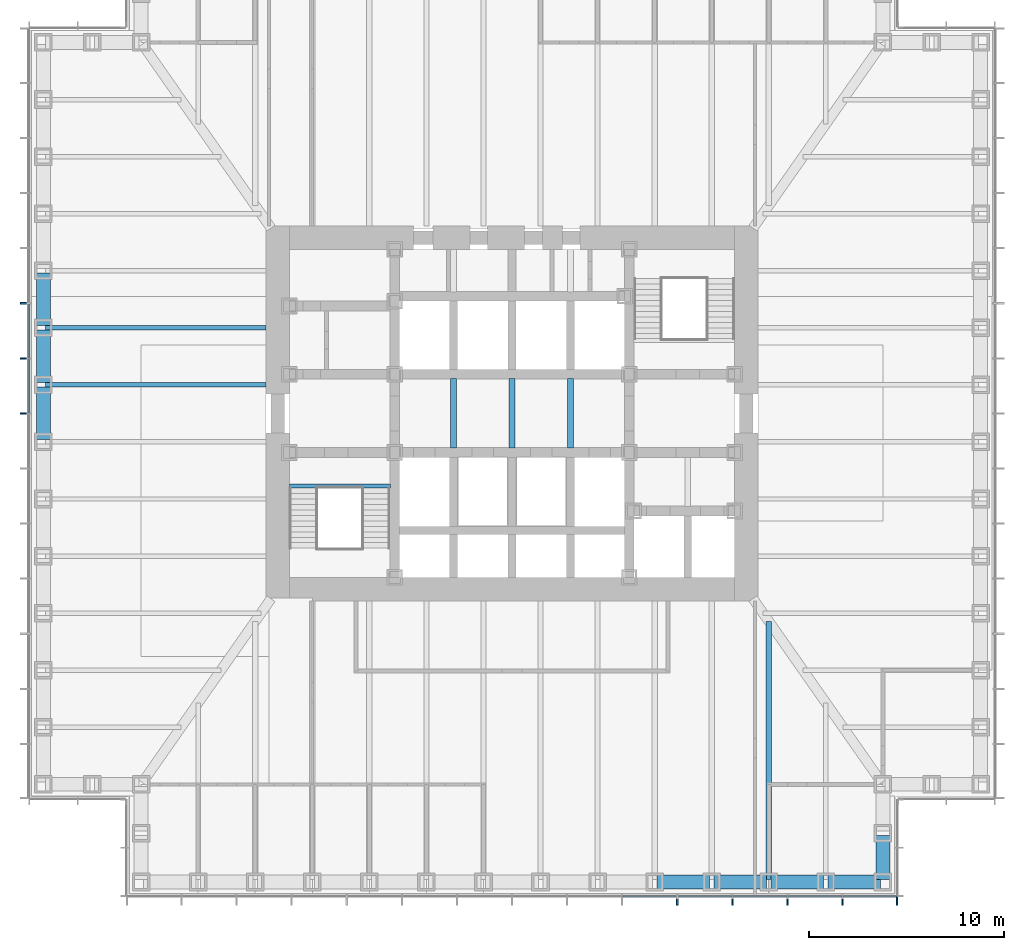
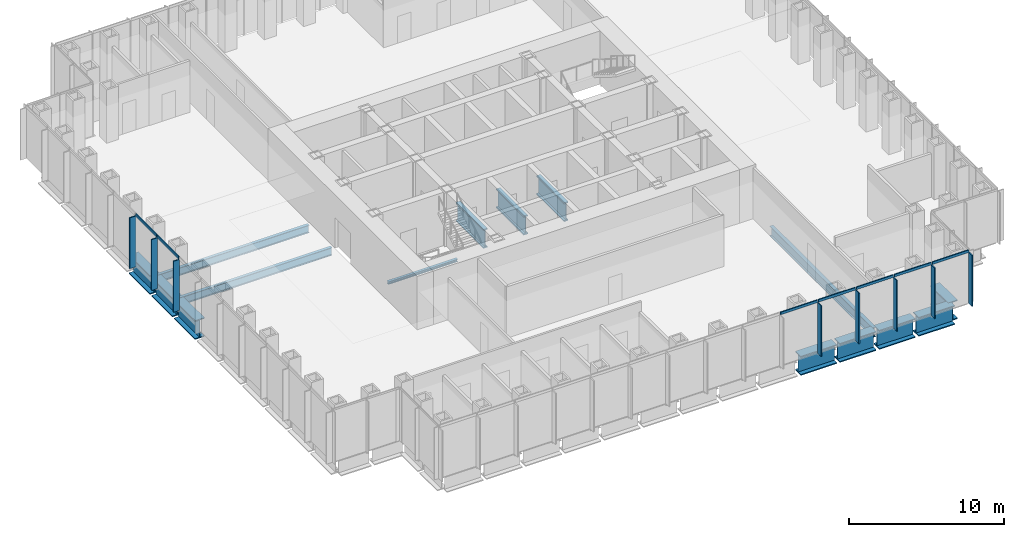
# One storey, part 3 of 16: 15 beams, 15 members, 2 elements without a shape of their own.
"""IFC4 building model written with IfcOpenShell, lengths in metres."""

from ifc_helpers import new_model, si_unit, direction, frame, origin, origin_2d, place, context, subcontext, project, spatial, rectangle, i_section, extrude, material, material_profile, profile_set, type_object, element, aggregate, save


model = new_model("IFC4")

# Units and contexts
model_context = context("Model", 3, precision=1e-05, world=origin(), true_north=direction((0.0, 1.0)))
body_context = subcontext(model_context, "Body", "Model", "MODEL_VIEW")
ifc_project = project(units=[si_unit("LENGTHUNIT", "METRE"), si_unit("AREAUNIT", "SQUARE_METRE"), si_unit("VOLUMEUNIT", "CUBIC_METRE"), si_unit("PLANEANGLEUNIT", "RADIAN"), si_unit("MASSUNIT", "GRAM", prefix="KILO")], contexts=[model_context])

# Site, building, storey
site_placement = place(None, origin())
site = spatial("IfcSite", under=ifc_project, at=site_placement, CompositionType="ELEMENT")
building_placement = place(site_placement, origin())
building = spatial("IfcBuilding", under=site, at=building_placement, Name="Daluyong Arena Tower", CompositionType="ELEMENT")
storey_placement = place(building_placement, frame((0.0, 0.0, 93.699951171875)))
storey = spatial("IfcBuildingStorey", under=building, at=storey_placement, Name="L20", CompositionType="ELEMENT", Elevation=93.699951171875)

# Curtain wall, members
ifc_material_1 = material(Name="Bronze anodised aluminium and glass", Category="aluminium")
curtain_wall_type = type_object("IfcCurtainWallType", Name="Curtain wall CW1", PredefinedType="USERDEFINED", material=ifc_material_1)
curtain_wall_1_placement = place(storey_placement, origin())
curtain_wall_1 = element("IfcCurtainWall", 1, at=curtain_wall_1_placement, inside=storey, type_object=curtain_wall_type, Name="curtain wall L20 S", ObjectType="UNITISED CURTAIN WALL", PredefinedType="USERDEFINED")
ifc_material_2 = material(Name="Bronze anodised aluminium fin", Category="aluminium")
ifc_material_profile_1 = material_profile(ifc_material_2, rectangle(XDim=0.449951171875, YDim=0.080078125, at=origin_2d()))
ifc_profile_set_1 = profile_set([ifc_material_profile_1], Name="Bronze anodised aluminium fin")
member_type_1 = type_object("IfcMemberType", Name="CW1 bronze fin 450x80", PredefinedType="MULLION", material=ifc_profile_set_1)
member_1_placement = place(storey_placement, frame((64.46435546875, 55.02490234375, 0.0), z_axis=(0.0, 0.0, 1.0), x_axis=(0.0, 1.0, 0.0)))
member_1 = element("IfcMember", 2, at=member_1_placement, type_object=member_type_1, Name="curtain wall L20 S fin 11", PredefinedType="MULLION", context=body_context, shape_type="SweptSolid", body=[
    extrude(rectangle(XDim=0.449951171875, YDim=0.080078125, at=origin_2d()), origin(), (0.0, 0.0, 1.0), 4.0),
])
member_2_placement = place(storey_placement, frame((67.28564453125, 55.02490234375, 0.0), z_axis=(0.0, 0.0, 1.0), x_axis=(0.0, 1.0, 0.0)))
member_2 = element("IfcMember", 3, at=member_2_placement, type_object=member_type_1, Name="curtain wall L20 S fin 12", PredefinedType="MULLION", context=body_context, shape_type="SweptSolid", body=[
    extrude(rectangle(XDim=0.449951171875, YDim=0.080078125, at=origin_2d()), origin(), (0.0, 0.0, 1.0), 4.0),
])
member_3_placement = place(storey_placement, frame((70.107177734375, 55.02490234375, 0.0), z_axis=(0.0, 0.0, 1.0), x_axis=(0.0, 1.0, 0.0)))
member_3 = element("IfcMember", 4, at=member_3_placement, type_object=member_type_1, Name="curtain wall L20 S fin 13", PredefinedType="MULLION", context=body_context, shape_type="SweptSolid", body=[
    extrude(rectangle(XDim=0.449951171875, YDim=0.080078125, at=origin_2d()), origin(), (0.0, 0.0, 1.0), 4.0),
])
member_4_placement = place(storey_placement, frame((72.928466796875, 55.02490234375, 0.0), z_axis=(0.0, 0.0, 1.0), x_axis=(0.0, 1.0, 0.0)))
member_4 = element("IfcMember", 5, at=member_4_placement, type_object=member_type_1, Name="curtain wall L20 S fin 14", PredefinedType="MULLION", context=body_context, shape_type="SweptSolid", body=[
    extrude(rectangle(XDim=0.449951171875, YDim=0.080078125, at=origin_2d()), origin(), (0.0, 0.0, 1.0), 4.0),
])
member_5_placement = place(storey_placement, frame((75.7099609375, 55.02490234375, 0.0), z_axis=(0.0, 0.0, 1.0), x_axis=(0.0, 1.0, 0.0)))
member_5 = element("IfcMember", 6, at=member_5_placement, type_object=member_type_1, Name="curtain wall L20 S fin 15", PredefinedType="MULLION", context=body_context, shape_type="SweptSolid", body=[
    extrude(rectangle(XDim=0.449951171875, YDim=0.080078125, at=origin_2d()), origin(), (0.0, 0.0, 1.0), 4.0),
])

curtain_wall_2_placement = place(storey_placement, origin())
curtain_wall_2 = element("IfcCurtainWall", 7, at=curtain_wall_2_placement, inside=storey, type_object=curtain_wall_type, Name="curtain wall L20 W", ObjectType="UNITISED CURTAIN WALL", PredefinedType="USERDEFINED")
member_6_placement = place(storey_placement, frame((31.02490234375, 85.642822265625, 0.0), z_axis=(0.0, 0.0, 1.0), x_axis=(1.0, 0.0, 0.0)))
member_6 = element("IfcMember", 8, at=member_6_placement, type_object=member_type_1, Name="curtain wall L20 W fin 6", PredefinedType="MULLION", context=body_context, shape_type="SweptSolid", body=[
    extrude(rectangle(XDim=0.449951171875, YDim=0.080078125, at=origin_2d()), origin(), (0.0, 0.0, 1.0), 4.0),
])
member_7_placement = place(storey_placement, frame((31.02490234375, 82.821533203125, 0.0), z_axis=(0.0, 0.0, 1.0), x_axis=(1.0, 0.0, 0.0)))
member_7 = element("IfcMember", 9, at=member_7_placement, type_object=member_type_1, Name="curtain wall L20 W fin 7", PredefinedType="MULLION", context=body_context, shape_type="SweptSolid", body=[
    extrude(rectangle(XDim=0.449951171875, YDim=0.080078125, at=origin_2d()), origin(), (0.0, 0.0, 1.0), 4.0),
])
member_8_placement = place(storey_placement, frame((31.02490234375, 80.0, 0.0), z_axis=(0.0, 0.0, 1.0), x_axis=(1.0, 0.0, 0.0)))
member_8 = element("IfcMember", 10, at=member_8_placement, type_object=member_type_1, Name="curtain wall L20 W fin 8", PredefinedType="MULLION", context=body_context, shape_type="SweptSolid", body=[
    extrude(rectangle(XDim=0.449951171875, YDim=0.080078125, at=origin_2d()), origin(), (0.0, 0.0, 1.0), 4.0),
])

# Member
ifc_material_3 = material(Name="Bronze anodised aluminium", Category="aluminium")
ifc_material_profile_2 = material_profile(ifc_material_3, rectangle(XDim=0.080078125, YDim=0.199951171875, at=origin_2d()))
ifc_profile_set_2 = profile_set([ifc_material_profile_2], Name="Bronze anodised aluminium")
member_type_2 = type_object("IfcMemberType", Name="CW1 stack transom 200x80", PredefinedType="USERDEFINED", material=ifc_profile_set_2)
member_9_placement = place(storey_placement, frame((61.682861328125, 55.25, 4.10009765625), z_axis=(1.0, 0.0, 0.0), x_axis=(0.0, 1.0, 0.0)))
member_9 = element("IfcMember", 11, at=member_9_placement, type_object=member_type_2, Name="curtain wall L20 S transom 10", ObjectType="TRANSOM", PredefinedType="USERDEFINED", context=body_context, shape_type="SweptSolid", body=[
    extrude(rectangle(XDim=0.080078125, YDim=0.199951171875, at=origin_2d()), origin(), (0.0, 0.0, 1.0), 2.741455078125),
])

member_10_placement = place(storey_placement, frame((64.50439453125, 55.25, 4.10009765625), z_axis=(1.0, 0.0, 0.0), x_axis=(0.0, 1.0, 0.0)))
member_10 = element("IfcMember", 12, at=member_10_placement, type_object=member_type_2, Name="curtain wall L20 S transom 11", ObjectType="TRANSOM", PredefinedType="USERDEFINED", context=body_context, shape_type="SweptSolid", body=[
    extrude(rectangle(XDim=0.080078125, YDim=0.199951171875, at=origin_2d()), origin(), (0.0, 0.0, 1.0), 2.7412109375),
])

member_11_placement = place(storey_placement, frame((67.32568359375, 55.25, 4.10009765625), z_axis=(1.0, 0.0, 0.0), x_axis=(0.0, 1.0, 0.0)))
member_11 = element("IfcMember", 13, at=member_11_placement, type_object=member_type_2, Name="curtain wall L20 S transom 12", ObjectType="TRANSOM", PredefinedType="USERDEFINED", context=body_context, shape_type="SweptSolid", body=[
    extrude(rectangle(XDim=0.080078125, YDim=0.199951171875, at=origin_2d()), origin(), (0.0, 0.0, 1.0), 2.741455078125),
])

member_12_placement = place(storey_placement, frame((70.147216796875, 55.25, 4.10009765625), z_axis=(1.0, 0.0, 0.0), x_axis=(0.0, 1.0, 0.0)))
member_12 = element("IfcMember", 14, at=member_12_placement, type_object=member_type_2, Name="curtain wall L20 S transom 13", ObjectType="TRANSOM", PredefinedType="USERDEFINED", context=body_context, shape_type="SweptSolid", body=[
    extrude(rectangle(XDim=0.080078125, YDim=0.199951171875, at=origin_2d()), origin(), (0.0, 0.0, 1.0), 2.741455078125),
])

member_13_placement = place(storey_placement, frame((72.968505859375, 55.25, 4.10009765625), z_axis=(1.0, 0.0, 0.0), x_axis=(0.0, 1.0, 0.0)))
member_13 = element("IfcMember", 15, at=member_13_placement, type_object=member_type_2, Name="curtain wall L20 S transom 14", ObjectType="TRANSOM", PredefinedType="USERDEFINED", context=body_context, shape_type="SweptSolid", body=[
    extrude(rectangle(XDim=0.080078125, YDim=0.199951171875, at=origin_2d()), origin(), (0.0, 0.0, 1.0), 2.701416015625),
])

aggregate(curtain_wall_1, [member_1, member_2, member_3, member_4, member_5, member_9, member_10, member_11, member_12, member_13])

member_14_placement = place(storey_placement, frame((31.25, 85.602783203125, 4.10009765625), z_axis=(0.0, -1.0, 0.0), x_axis=(1.0, 0.0, 0.0)))
member_14 = element("IfcMember", 16, at=member_14_placement, type_object=member_type_2, Name="curtain wall L20 W transom 6", ObjectType="TRANSOM", PredefinedType="USERDEFINED", context=body_context, shape_type="SweptSolid", body=[
    extrude(rectangle(XDim=0.080078125, YDim=0.199951171875, at=origin_2d()), origin(), (0.0, 0.0, 1.0), 2.741455078125),
])

member_15_placement = place(storey_placement, frame((31.25, 82.781494140625, 4.10009765625), z_axis=(0.0, -1.0, 0.0), x_axis=(1.0, 0.0, 0.0)))
member_15 = element("IfcMember", 17, at=member_15_placement, type_object=member_type_2, Name="curtain wall L20 W transom 7", ObjectType="TRANSOM", PredefinedType="USERDEFINED", context=body_context, shape_type="SweptSolid", body=[
    extrude(rectangle(XDim=0.080078125, YDim=0.199951171875, at=origin_2d()), origin(), (0.0, 0.0, 1.0), 2.741455078125),
])

aggregate(curtain_wall_2, [member_6, member_7, member_8, member_14, member_15])

# Beams
ifc_material_4 = material(Name="Steel ASTM A992 Grade 50", Category="steel")
ifc_material_profile_3 = material_profile(ifc_material_4, i_section(OverallWidth=0.22900390625, OverallDepth=0.612060546875, WebThickness=0.011962890625, FlangeThickness=0.01953125, at=origin_2d()))
ifc_profile_set_3 = profile_set([ifc_material_profile_3], Name="Steel ASTM A992 Grade 50")
beam_type_1 = type_object("IfcBeamType", Name="Floor beam W24X84", PredefinedType="BEAM", material=ifc_profile_set_3)
for number, where, z_axis, x_axis, name in (
    (18, (32.114990234375, 84.384521484375, -0.466064453125), (1.0, 0.0, 0.0), (0.0, 1.0, 0.0), "floor beam FB3"),
    (19, (32.114990234375, 81.46142578125, -0.466064453125), (1.0, 0.0, 0.0), (0.0, 1.0, 0.0), "floor beam FB3"),
):
    element("IfcBeam", number, at=place(storey_placement, frame(where, z_axis=z_axis, x_axis=x_axis)), inside=storey, type_object=beam_type_1, Name=name, PredefinedType="BEAM", context=body_context, shape_type="SweptSolid", body=[
        extrude(i_section(OverallWidth=0.22900390625, OverallDepth=0.612060546875, WebThickness=0.011962890625, FlangeThickness=0.01953125, at=origin_2d()), origin(), (0.0, 0.0, 1.0), 11.284912109375),
    ])
ifc_material_5 = material(Name="Steel ASTM A992 Grade 50", Category="steel")
ifc_material_profile_4 = material_profile(ifc_material_5, i_section(OverallWidth=0.2666015625, OverallDepth=0.761962890625, WebThickness=0.014404296875, FlangeThickness=0.021484375, at=origin_2d()))
ifc_profile_set_4 = profile_set([ifc_material_profile_4], Name="Steel ASTM A992 Grade 50")
beam_type_2 = type_object("IfcBeamType", Name="Floor beam W30X116", PredefinedType="BEAM", material=ifc_profile_set_4)
beam_1_placement = place(storey_placement, frame((69.15380859375, 56.114990234375, -0.541015625), z_axis=(0.0, 1.0, 0.0), x_axis=(-1.0, 0.0, 0.0)))
element("IfcBeam", 20, at=beam_1_placement, inside=storey, type_object=beam_type_2, Name="floor beam FB4", PredefinedType="BEAM", context=body_context, shape_type="SweptSolid", body=[
    extrude(i_section(OverallWidth=0.2666015625, OverallDepth=0.761962890625, WebThickness=0.014404296875, FlangeThickness=0.021484375, at=origin_2d()), origin(), (0.0, 0.0, 1.0), 13.236572265625),
])
ifc_material_6 = material(Name="Steel ASTM A572 Grade 50", Category="steel")
ifc_material_profile_5 = material_profile(ifc_material_6, i_section(OverallWidth=0.300048828125, OverallDepth=1.5, WebThickness=0.04, FlangeThickness=0.1, at=origin_2d()))
ifc_profile_set_5 = profile_set([ifc_material_profile_5], Name="Steel ASTM A572 Grade 50")
beam_type_3 = type_object("IfcBeamType", Name="Lift divider beam PG1500X300", PredefinedType="BEAM", material=ifc_profile_set_5)
for number, where, z_axis, x_axis, name in (
    (21, (53.0, 78.22509765625, -0.909912109375), (0.0, 1.0, 0.0), (-1.0, 0.0, 0.0), "lift divider beam DB2"),
    (22, (56.0, 78.22509765625, -0.909912109375), (0.0, 1.0, 0.0), (-1.0, 0.0, 0.0), "lift divider beam DB2"),
    (23, (59.0, 78.22509765625, -0.909912109375), (0.0, 1.0, 0.0), (-1.0, 0.0, 0.0), "lift divider beam DB2"),
):
    element("IfcBeam", number, at=place(storey_placement, frame(where, z_axis=z_axis, x_axis=x_axis)), inside=storey, type_object=beam_type_3, Name=name, PredefinedType="BEAM", context=body_context, shape_type="SweptSolid", body=[
        extrude(i_section(OverallWidth=0.300048828125, OverallDepth=1.5, WebThickness=0.04, FlangeThickness=0.1, at=origin_2d()), origin(), (0.0, 0.0, 1.0), 3.5498046875),
    ])
ifc_material_7 = material(Name="Steel ASTM A572 Grade 50", Category="steel")
ifc_material_profile_6 = material_profile(ifc_material_7, i_section(OverallWidth=0.699951171875, OverallDepth=1.5, WebThickness=0.04, FlangeThickness=0.08, at=origin_2d()))
ifc_profile_set_6 = profile_set([ifc_material_profile_6], Name="Steel ASTM A572 Grade 50")
beam_type_4 = type_object("IfcBeamType", Name="Spandrel Z1 PG1500X700", PredefinedType="SPANDREL", material=ifc_profile_set_6)
for number, where, z_axis, x_axis, name in (
    (24, (63.422607421875, 56.0, -0.909912109375), (1.0, 0.0, 0.0), (0.0, 1.0, 0.0), "spandrel z1 SB4"),
    (25, (66.345703125, 56.0, -0.909912109375), (1.0, 0.0, 0.0), (0.0, 1.0, 0.0), "spandrel z1 SB4"),
    (26, (69.268798828125, 56.0, -0.909912109375), (1.0, 0.0, 0.0), (0.0, 1.0, 0.0), "spandrel z1 SB4"),
    (27, (72.19189453125, 56.0, -0.909912109375), (1.0, 0.0, 0.0), (0.0, 1.0, 0.0), "spandrel z1 SB4"),
):
    element("IfcBeam", number, at=place(storey_placement, frame(where, z_axis=z_axis, x_axis=x_axis)), inside=storey, type_object=beam_type_4, Name=name, PredefinedType="SPANDREL", context=body_context, shape_type="SweptSolid", body=[
        extrude(i_section(OverallWidth=0.699951171875, OverallDepth=1.5, WebThickness=0.04, FlangeThickness=0.08, at=origin_2d()), origin(), (0.0, 0.0, 1.0), 2.693115234375),
    ])
beam_2_placement = place(storey_placement, frame((75.0, 56.114990234375, -0.909912109375), z_axis=(0.0, 1.0, 0.0), x_axis=(-1.0, 0.0, 0.0)))
element("IfcBeam", 28, at=beam_2_placement, inside=storey, type_object=beam_type_4, Name="spandrel z1 SB4", PredefinedType="SPANDREL", context=body_context, shape_type="SweptSolid", body=[
    extrude(i_section(OverallWidth=0.699951171875, OverallDepth=1.5, WebThickness=0.04, FlangeThickness=0.08, at=origin_2d()), origin(), (0.0, 0.0, 1.0), 2.27001953125),
])
for number, where, z_axis, x_axis, name in (
    (29, (32.0, 87.192626953125, -0.909912109375), (0.0, -1.0, 0.0), (1.0, 0.0, 0.0), "spandrel z1 SB4"),
    (30, (32.0, 84.26953125, -0.909912109375), (0.0, -1.0, 0.0), (1.0, 0.0, 0.0), "spandrel z1 SB4"),
):
    element("IfcBeam", number, at=place(storey_placement, frame(where, z_axis=z_axis, x_axis=x_axis)), inside=storey, type_object=beam_type_4, Name=name, PredefinedType="SPANDREL", context=body_context, shape_type="SweptSolid", body=[
        extrude(i_section(OverallWidth=0.699951171875, OverallDepth=1.5, WebThickness=0.04, FlangeThickness=0.08, at=origin_2d()), origin(), (0.0, 0.0, 1.0), 2.693115234375),
    ])
beam_3_placement = place(storey_placement, frame((32.0, 81.346435546875, -0.909912109375), z_axis=(0.0, -1.0, 0.0), x_axis=(1.0, 0.0, 0.0)))
element("IfcBeam", 31, at=beam_3_placement, inside=storey, type_object=beam_type_4, Name="spandrel z1 SB4", PredefinedType="SPANDREL", context=body_context, shape_type="SweptSolid", body=[
    extrude(i_section(OverallWidth=0.699951171875, OverallDepth=1.5, WebThickness=0.04, FlangeThickness=0.08, at=origin_2d()), origin(), (0.0, 0.0, 1.0), 2.69287109375),
])
ifc_material_8 = material(Name="Steel ASTM A992 Grade 50", Category="steel")
ifc_material_profile_7 = material_profile(ifc_material_8, i_section(OverallWidth=0.203125, OverallDepth=0.203125, WebThickness=0.00732421875, FlangeThickness=0.010986328125, at=origin_2d()))
ifc_profile_set_7 = profile_set([ifc_material_profile_7], Name="Steel ASTM A992 Grade 50")
beam_type_5 = type_object("IfcBeamType", Name="Stair landing beam W8X31", PredefinedType="BEAM", material=ifc_profile_set_7)
beam_4_placement = place(storey_placement, frame((44.60009765625, 76.276611328125, -0.261474609375), z_axis=(1.0, 0.0, 0.0), x_axis=(0.0, 1.0, 0.0)))
element("IfcBeam", 32, at=beam_4_placement, inside=storey, type_object=beam_type_5, Name="exit stair A landing beam", PredefinedType="BEAM", context=body_context, shape_type="SweptSolid", body=[
    extrude(i_section(OverallWidth=0.203125, OverallDepth=0.203125, WebThickness=0.00732421875, FlangeThickness=0.010986328125, at=origin_2d()), origin(), (0.0, 0.0, 1.0), 5.1748046875),
])

save(model, "model.ifc")
